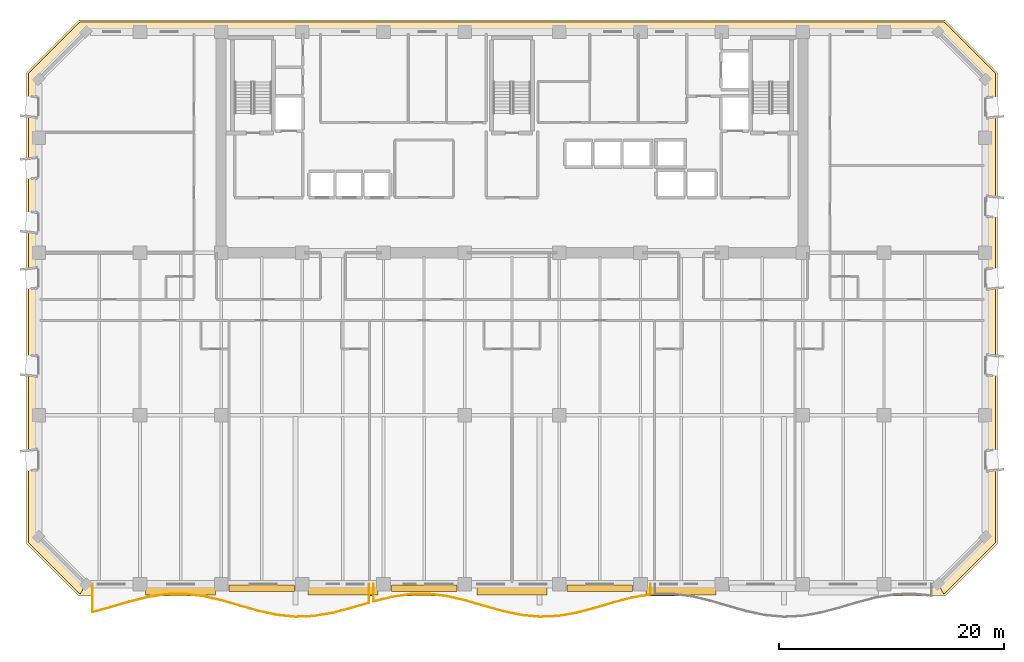
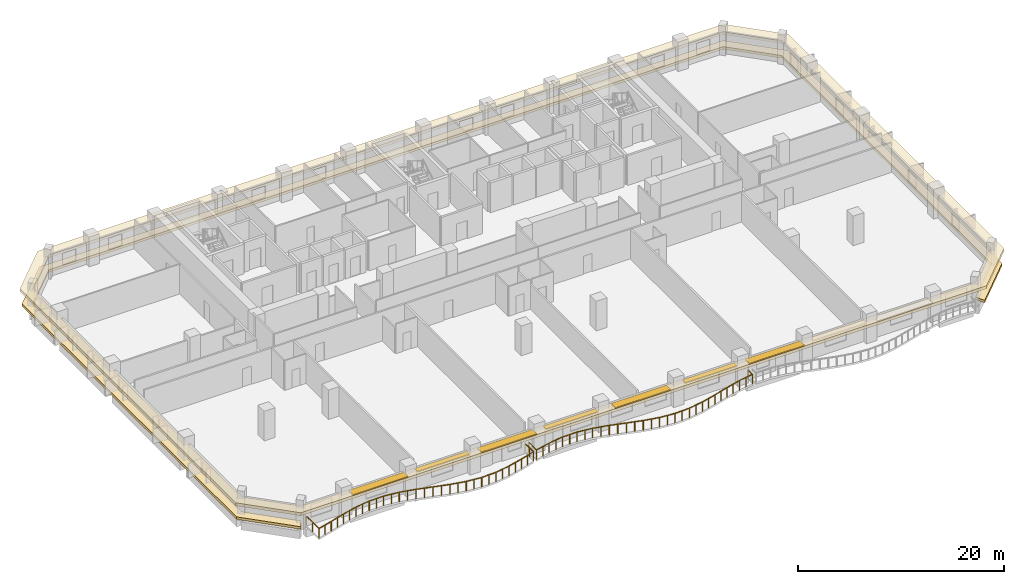
# One storey, part 12 of 15: 7 shading devices, 2 coverings, 2 railings.
"""IFC4 building model written with IfcOpenShell, lengths in metres."""

from ifc_helpers import new_model, si_unit, direction, frame, origin, origin_2d, place, context, subcontext, project, spatial, polyline, rectangle, outline, extrude, material, layer, layer_set, type_object, element, save


model = new_model("IFC4")

# Units and contexts
model_context = context("Model", 3, precision=1e-05, world=origin(), true_north=direction((0.0, 1.0)))
body_context = subcontext(model_context, "Body", "Model", "MODEL_VIEW")
ifc_project = project(units=[si_unit("LENGTHUNIT", "METRE"), si_unit("AREAUNIT", "SQUARE_METRE"), si_unit("VOLUMEUNIT", "CUBIC_METRE"), si_unit("PLANEANGLEUNIT", "RADIAN"), si_unit("MASSUNIT", "GRAM", prefix="KILO")], contexts=[model_context])

# Site, building, storey
site_placement = place(None, origin())
site = spatial("IfcSite", under=ifc_project, at=site_placement, CompositionType="ELEMENT")
building_placement = place(site_placement, origin())
building = spatial("IfcBuilding", under=site, at=building_placement, Name="Kaelvorn Grand Hotel", CompositionType="ELEMENT")
storey_placement = place(building_placement, frame((0.0, 0.0, 108.050048828125)))
storey = spatial("IfcBuildingStorey", under=building, at=storey_placement, Name="L25", CompositionType="ELEMENT", Elevation=108.050048828125)

# Coverings
ifc_material_1 = material(Name="Precast concrete C45/55", Category="concrete")
ifc_layer_1 = layer(ifc_material_1, 0.260009765625)
ifc_layer_set_1 = layer_set([ifc_layer_1], Name="Precast concrete C45/55")
covering_type_1 = type_object("IfcCoveringType", Name="COV-BAND-STREAMLINE-HEAD", PredefinedType="CLADDING", material=ifc_layer_set_1)
covering_1_placement = place(storey_placement, frame((0.0, 0.0, 2.179931640625)))
element("IfcCovering", 1, at=covering_1_placement, inside=storey, type_object=covering_type_1, Name="L25 Streamline Moderne Wraparound Horizontal Eyebrow Band", PredefinedType="CLADDING", context=body_context, shape_type="SweptSolid", body=[
    extrude(outline(polyline([(3.590087890625, -1.050048828125), (80.409912109375, -1.050048828125), (85.050048828125, 3.590087890625), (85.050048828125, 45.409912109375), (80.409912109375, 50.050048828125), (3.590087890625, 50.050048828125), (-1.050048828125, 45.409912109375), (-1.050048828125, 3.590087890625), (3.590087890625, -1.050048828125)]), holes=[polyline([(4.219970703125, 0.030029296875), (79.780029296875, 0.030029296875), (83.969970703125, 4.219970703125), (83.969970703125, 44.780029296875), (79.780029296875, 48.969970703125), (4.219970703125, 48.969970703125), (0.030029296875, 44.780029296875), (0.030029296875, 4.219970703125), (4.219970703125, 0.030029296875)])]), origin(), (0.0, 0.0, 1.0), 0.360107421875),
])
ifc_layer_2 = layer(ifc_material_1, 0.219970703125)
ifc_layer_set_2 = layer_set([ifc_layer_2], Name="Precast concrete C45/55")
covering_type_2 = type_object("IfcCoveringType", Name="COV-BAND-STREAMLINE-SILL", PredefinedType="CLADDING", material=ifc_layer_set_2)
covering_2_placement = place(storey_placement, frame((0.0, 0.0, 0.449951171875)))
element("IfcCovering", 2, at=covering_2_placement, inside=storey, type_object=covering_type_2, Name="L25 Streamline Moderne Wraparound Horizontal Sill Spandrel Band", PredefinedType="CLADDING", context=body_context, shape_type="SweptSolid", body=[
    extrude(outline(polyline([(80.3154296875, -0.8798828125), (84.8798828125, 3.6845703125), (84.8798828125, 45.3154296875), (80.3154296875, 49.8798828125), (3.6845703125, 49.8798828125), (-0.8798828125, 45.3154296875), (-0.8798828125, 3.6845703125), (3.6845703125, -0.8798828125), (4.217529296875, 0.030029296875), (0.030029296875, 4.217529296875), (0.030029296875, 44.782470703125), (4.217529296875, 48.969970703125), (79.782470703125, 48.969970703125), (83.969970703125, 44.782470703125), (83.969970703125, 4.217529296875), (79.782470703125, 0.030029296875), (80.3154296875, -0.8798828125)])), origin(), (0.0, 0.0, 1.0), 0.300048828125),
])

# Railings
ifc_material_2 = material(Name="Stainless Steel", Category="steel")
railing_type = type_object("IfcRailingType", Name="RL-BALC-1150", PredefinedType="BALUSTRADE", material=ifc_material_2)
railing_1_placement = place(storey_placement, frame((4.800048828125, 0.0, 0.0)))
element("IfcRailing", 3, at=railing_1_placement, inside=storey, type_object=railing_type, Name="L25 Scalloped Wave Balcony Balustrade GR1-1", PredefinedType="BALUSTRADE", context=body_context, shape_type="SweptSolid", body=[
    extrude(rectangle(XDim=0.048095703125, YDim=0.048095703125, at=origin_2d()), frame((0.0, 0.0, 1.1259765625), z_axis=(0.0, -1.0, 0.0), x_axis=(1.0, 0.0, 0.0)), (0.0, 0.0, 1.0), 2.4775390625),
    extrude(rectangle(XDim=0.048095703125, YDim=0.048095703125, at=origin_2d()), frame((0.0, -2.4775390625, 1.1259765625), z_axis=(0.964654076127, 0.263519474446, 0.0), x_axis=(-0.263519474446, 0.964654076127, 0.0)), (0.0, 0.0, 1.0), 1.6953125),
    extrude(rectangle(XDim=0.048095703125, YDim=0.048095703125, at=origin_2d()), frame((1.635498046875, -2.03076171875, 1.1259765625), z_axis=(0.959338132824, 0.282259361068, 0.0), x_axis=(-0.282259361068, 0.959338132824, 0.0)), (0.0, 0.0, 1.0), 1.704833984375),
    extrude(rectangle(XDim=0.048095703125, YDim=0.048095703125, at=origin_2d()), frame((3.27099609375, -1.549560546875, 1.1259765625), z_axis=(0.970108421797, 0.242671897751, 0.0), x_axis=(-0.242671897751, 0.970108421797, 0.0)), (0.0, 0.0, 1.0), 1.68603515625),
    extrude(rectangle(XDim=0.048095703125, YDim=0.048095703125, at=origin_2d()), frame((4.90673828125, -1.140380859375, 1.1259765625), z_axis=(0.988889745087, 0.148650839424, 0.0), x_axis=(-0.148650839424, 0.988889745087, 0.0)), (0.0, 0.0, 1.0), 1.65380859375),
    extrude(rectangle(XDim=0.048095703125, YDim=0.048095703125, at=origin_2d()), frame((6.542236328125, -0.89453125, 1.1259765625), z_axis=(0.999852684056, 0.01716421237, 0.0), x_axis=(-0.01716421237, 0.999852684056, 0.0)), (0.0, 0.0, 1.0), 1.6357421875),
    extrude(rectangle(XDim=0.048095703125, YDim=0.048095703125, at=origin_2d()), frame((8.177734375, -0.866455078125, 1.1259765625), z_axis=(0.992892259483, -0.119016641941, 0.0), x_axis=(0.119016641941, 0.992892259483, 0.0)), (0.0, 0.0, 1.0), 1.647216796875),
    extrude(rectangle(XDim=0.048095703125, YDim=0.048095703125, at=origin_2d()), frame((9.813232421875, -1.0625, 1.1259765625), z_axis=(0.974547877033, -0.22417947134, 0.0), x_axis=(0.22417947134, 0.974547877033, 0.0)), (0.0, 0.0, 1.0), 1.67822265625),
    extrude(rectangle(XDim=0.048095703125, YDim=0.048095703125, at=origin_2d()), frame((11.44873046875, -1.438720703125, 1.1259765625), z_axis=(0.960582401259, -0.277995414335, 0.0), x_axis=(0.277995414335, 0.960582401259, 0.0)), (0.0, 0.0, 1.0), 1.702880859375),
    extrude(rectangle(XDim=0.048095703125, YDim=0.048095703125, at=origin_2d()), frame((13.08447265625, -1.912109375, 1.1259765625), z_axis=(0.96186455439, -0.273526194374, 0.0), x_axis=(0.273526194374, 0.96186455439, 0.0)), (0.0, 0.0, 1.0), 1.700439453125),
    extrude(rectangle(XDim=0.048095703125, YDim=0.048095703125, at=origin_2d()), frame((14.719970703125, -2.377197265625, 1.1259765625), z_axis=(0.977427196396, -0.211272515358, 0.0), x_axis=(0.211272515358, 0.977427196396, 0.0)), (0.0, 0.0, 1.0), 1.67333984375),
    extrude(rectangle(XDim=0.048095703125, YDim=0.048095703125, at=origin_2d()), frame((16.35546875, -2.730712890625, 1.1259765625), z_axis=(0.995050417391, -0.099371358297, 0.0), x_axis=(0.099371358297, 0.995050417391, 0.0)), (0.0, 0.0, 1.0), 1.6435546875),
    extrude(rectangle(XDim=0.048095703125, YDim=0.048095703125, at=origin_2d()), frame((17.990966796875, -2.89404296875, 1.1259765625), z_axis=(0.999265134738, 0.03833002084, 0.0), x_axis=(-0.03833002084, 0.999265134738, 0.0)), (0.0, 0.0, 1.0), 1.636962890625),
    extrude(rectangle(XDim=0.048095703125, YDim=0.048095703125, at=origin_2d()), frame((19.626708984375, -2.831298828125, 1.1259765625), z_axis=(0.986118033534, 0.166045848907, 0.0), x_axis=(-0.166045848907, 0.986118033534, 0.0)), (0.0, 0.0, 1.0), 1.658447265625),
    extrude(rectangle(XDim=0.048095703125, YDim=0.048095703125, at=origin_2d()), frame((21.26220703125, -2.555908203125, 1.1259765625), z_axis=(0.96763721046, 0.252345455542, 0.0), x_axis=(-0.252345455542, 0.96763721046, 0.0)), (0.0, 0.0, 1.0), 1.690185546875),
    extrude(rectangle(XDim=0.048095703125, YDim=0.048095703125, at=origin_2d()), frame((22.897705078125, -2.12939453125, 1.1259765625), z_axis=(0.959027432838, 0.2833132243, 0.0), x_axis=(-0.2833132243, 0.959027432838, 0.0)), (0.0, 0.0, 1.0), 1.705322265625),
    extrude(rectangle(XDim=0.048095703125, YDim=0.048095703125, at=origin_2d()), frame((24.533203125, -1.646240234375, 1.1259765625), z_axis=(0.0, 1.0, 0.0), x_axis=(-1.0, 0.0, 0.0)), (0.0, 0.0, 1.0), 1.646240234375),
    extrude(rectangle(XDim=0.0419921875, YDim=0.0419921875, at=origin_2d()), origin(), (0.0, 0.0, 1.0), 1.101806640625),
    extrude(rectangle(XDim=0.0419921875, YDim=0.0419921875, at=origin_2d()), frame((0.0, -1.23876953125, 0.0)), (0.0, 0.0, 1.0), 1.101806640625),
    extrude(rectangle(XDim=0.0419921875, YDim=0.0419921875, at=origin_2d()), frame((0.0, -2.4775390625, 0.0)), (0.0, 0.0, 1.0), 1.101806640625),
    extrude(rectangle(XDim=0.0419921875, YDim=0.0419921875, at=origin_2d()), frame((0.81787109375, -2.254150390625, 0.0)), (0.0, 0.0, 1.0), 1.101806640625),
    extrude(rectangle(XDim=0.0419921875, YDim=0.0419921875, at=origin_2d()), frame((1.635498046875, -2.03076171875, 0.0)), (0.0, 0.0, 1.0), 1.101806640625),
    extrude(rectangle(XDim=0.0419921875, YDim=0.0419921875, at=origin_2d()), frame((2.453125, -1.7900390625, 0.0)), (0.0, 0.0, 1.0), 1.101806640625),
    extrude(rectangle(XDim=0.0419921875, YDim=0.0419921875, at=origin_2d()), frame((3.27099609375, -1.549560546875, 0.0)), (0.0, 0.0, 1.0), 1.101806640625),
    extrude(rectangle(XDim=0.0419921875, YDim=0.0419921875, at=origin_2d()), frame((4.0888671875, -1.344970703125, 0.0)), (0.0, 0.0, 1.0), 1.101806640625),
    extrude(rectangle(XDim=0.0419921875, YDim=0.0419921875, at=origin_2d()), frame((4.90673828125, -1.140380859375, 0.0)), (0.0, 0.0, 1.0), 1.101806640625),
    extrude(rectangle(XDim=0.0419921875, YDim=0.0419921875, at=origin_2d()), frame((5.724609375, -1.017578125, 0.0)), (0.0, 0.0, 1.0), 1.101806640625),
    extrude(rectangle(XDim=0.0419921875, YDim=0.0419921875, at=origin_2d()), frame((6.542236328125, -0.89453125, 0.0)), (0.0, 0.0, 1.0), 1.101806640625),
    extrude(rectangle(XDim=0.0419921875, YDim=0.0419921875, at=origin_2d()), frame((7.35986328125, -0.88037109375, 0.0)), (0.0, 0.0, 1.0), 1.101806640625),
    extrude(rectangle(XDim=0.0419921875, YDim=0.0419921875, at=origin_2d()), frame((8.177734375, -0.866455078125, 0.0)), (0.0, 0.0, 1.0), 1.101806640625),
    extrude(rectangle(XDim=0.0419921875, YDim=0.0419921875, at=origin_2d()), frame((8.99560546875, -0.96435546875, 0.0)), (0.0, 0.0, 1.0), 1.101806640625),
    extrude(rectangle(XDim=0.0419921875, YDim=0.0419921875, at=origin_2d()), frame((9.813232421875, -1.0625, 0.0)), (0.0, 0.0, 1.0), 1.101806640625),
    extrude(rectangle(XDim=0.0419921875, YDim=0.0419921875, at=origin_2d()), frame((10.630859375, -1.25048828125, 0.0)), (0.0, 0.0, 1.0), 1.101806640625),
    extrude(rectangle(XDim=0.0419921875, YDim=0.0419921875, at=origin_2d()), frame((11.44873046875, -1.438720703125, 0.0)), (0.0, 0.0, 1.0), 1.101806640625),
    extrude(rectangle(XDim=0.0419921875, YDim=0.0419921875, at=origin_2d()), frame((12.2666015625, -1.67529296875, 0.0)), (0.0, 0.0, 1.0), 1.101806640625),
    extrude(rectangle(XDim=0.0419921875, YDim=0.0419921875, at=origin_2d()), frame((13.08447265625, -1.912109375, 0.0)), (0.0, 0.0, 1.0), 1.101806640625),
    extrude(rectangle(XDim=0.0419921875, YDim=0.0419921875, at=origin_2d()), frame((13.90234375, -2.14453125, 0.0)), (0.0, 0.0, 1.0), 1.101806640625),
    extrude(rectangle(XDim=0.0419921875, YDim=0.0419921875, at=origin_2d()), frame((14.719970703125, -2.377197265625, 0.0)), (0.0, 0.0, 1.0), 1.101806640625),
    extrude(rectangle(XDim=0.0419921875, YDim=0.0419921875, at=origin_2d()), frame((15.53759765625, -2.553955078125, 0.0)), (0.0, 0.0, 1.0), 1.101806640625),
    extrude(rectangle(XDim=0.0419921875, YDim=0.0419921875, at=origin_2d()), frame((16.35546875, -2.730712890625, 0.0)), (0.0, 0.0, 1.0), 1.101806640625),
    extrude(rectangle(XDim=0.0419921875, YDim=0.0419921875, at=origin_2d()), frame((17.17333984375, -2.8125, 0.0)), (0.0, 0.0, 1.0), 1.101806640625),
    extrude(rectangle(XDim=0.0419921875, YDim=0.0419921875, at=origin_2d()), frame((17.990966796875, -2.89404296875, 0.0)), (0.0, 0.0, 1.0), 1.101806640625),
    extrude(rectangle(XDim=0.0419921875, YDim=0.0419921875, at=origin_2d()), frame((18.808837890625, -2.86279296875, 0.0)), (0.0, 0.0, 1.0), 1.101806640625),
    extrude(rectangle(XDim=0.0419921875, YDim=0.0419921875, at=origin_2d()), frame((19.626708984375, -2.831298828125, 0.0)), (0.0, 0.0, 1.0), 1.101806640625),
    extrude(rectangle(XDim=0.0419921875, YDim=0.0419921875, at=origin_2d()), frame((20.4443359375, -2.693603515625, 0.0)), (0.0, 0.0, 1.0), 1.101806640625),
    extrude(rectangle(XDim=0.0419921875, YDim=0.0419921875, at=origin_2d()), frame((21.26220703125, -2.555908203125, 0.0)), (0.0, 0.0, 1.0), 1.101806640625),
    extrude(rectangle(XDim=0.0419921875, YDim=0.0419921875, at=origin_2d()), frame((22.080078125, -2.3427734375, 0.0)), (0.0, 0.0, 1.0), 1.101806640625),
    extrude(rectangle(XDim=0.0419921875, YDim=0.0419921875, at=origin_2d()), frame((22.897705078125, -2.12939453125, 0.0)), (0.0, 0.0, 1.0), 1.101806640625),
    extrude(rectangle(XDim=0.0419921875, YDim=0.0419921875, at=origin_2d()), frame((23.71533203125, -1.8876953125, 0.0)), (0.0, 0.0, 1.0), 1.101806640625),
    extrude(rectangle(XDim=0.0419921875, YDim=0.0419921875, at=origin_2d()), frame((24.533203125, -1.646240234375, 0.0)), (0.0, 0.0, 1.0), 1.101806640625),
    extrude(rectangle(XDim=0.0419921875, YDim=0.0419921875, at=origin_2d()), frame((24.533203125, -0.8232421875, 0.0)), (0.0, 0.0, 1.0), 1.101806640625),
    extrude(rectangle(XDim=0.0419921875, YDim=0.0419921875, at=origin_2d()), frame((24.533203125, 0.0, 0.0)), (0.0, 0.0, 1.0), 1.101806640625),
])
railing_2_placement = place(storey_placement, frame((29.7333984375, 0.0, 0.0)))
element("IfcRailing", 4, at=railing_2_placement, inside=storey, type_object=railing_type, Name="L25 Scalloped Wave Balcony Balustrade GR1-2", PredefinedType="BALUSTRADE", context=body_context, shape_type="SweptSolid", body=[
    extrude(rectangle(XDim=0.048095703125, YDim=0.048095703125, at=origin_2d()), frame((0.0, 0.0, 1.1259765625), z_axis=(0.0, -1.0, 0.0), x_axis=(1.0, 0.0, 0.0)), (0.0, 0.0, 1.0), 1.531982421875),
    extrude(rectangle(XDim=0.048095703125, YDim=0.048095703125, at=origin_2d()), frame((0.0, -1.531982421875, 1.1259765625), z_axis=(0.970778455787, 0.239977477651, 0.0), x_axis=(-0.239977477651, 0.970778455787, 0.0)), (0.0, 0.0, 1.0), 1.684814453125),
    extrude(rectangle(XDim=0.048095703125, YDim=0.048095703125, at=origin_2d()), frame((1.635498046875, -1.127685546875, 1.1259765625), z_axis=(0.989552746823, 0.144171291372, 0.0), x_axis=(-0.144171291372, 0.989552746823, 0.0)), (0.0, 0.0, 1.0), 1.65283203125),
    extrude(rectangle(XDim=0.048095703125, YDim=0.048095703125, at=origin_2d()), frame((3.27099609375, -0.889404296875, 1.1259765625), z_axis=(0.999928700978, 0.011941229449, 0.0), x_axis=(-0.011941229449, 0.999928700978, 0.0)), (0.0, 0.0, 1.0), 1.635498046875),
    extrude(rectangle(XDim=0.048095703125, YDim=0.048095703125, at=origin_2d()), frame((4.906494140625, -0.869873046875, 1.1259765625), z_axis=(0.992305195112, -0.12381599151, 0.0), x_axis=(0.12381599151, 0.992305195112, 0.0)), (0.0, 0.0, 1.0), 1.6484375),
    extrude(rectangle(XDim=0.048095703125, YDim=0.048095703125, at=origin_2d()), frame((6.542236328125, -1.073974609375, 1.1259765625), z_axis=(0.973844426508, -0.227215829024, 0.0), x_axis=(0.227215829024, 0.973844426508, 0.0)), (0.0, 0.0, 1.0), 1.679443359375),
    extrude(rectangle(XDim=0.048095703125, YDim=0.048095703125, at=origin_2d()), frame((8.177734375, -1.45556640625, 1.1259765625), z_axis=(0.960302879925, -0.278959457282, 0.0), x_axis=(0.278959457282, 0.960302879925, 0.0)), (0.0, 0.0, 1.0), 1.703125),
    extrude(rectangle(XDim=0.048095703125, YDim=0.048095703125, at=origin_2d()), frame((9.813232421875, -1.9306640625, 1.1259765625), z_axis=(0.962241545122, -0.272197003733, 0.0), x_axis=(0.272197003733, 0.962241545122, 0.0)), (0.0, 0.0, 1.0), 1.69970703125),
    extrude(rectangle(XDim=0.048095703125, YDim=0.048095703125, at=origin_2d()), frame((11.44873046875, -2.393310546875, 1.1259765625), z_axis=(0.978181108295, -0.207753987627, 0.0), x_axis=(0.207753987627, 0.978181108295, 0.0)), (0.0, 0.0, 1.0), 1.672119140625),
    extrude(rectangle(XDim=0.048095703125, YDim=0.048095703125, at=origin_2d()), frame((13.08447265625, -2.74072265625, 1.1259765625), z_axis=(0.995523480824, -0.09451454453, 0.0), x_axis=(0.09451454453, 0.995523480824, 0.0)), (0.0, 0.0, 1.0), 1.642822265625),
    extrude(rectangle(XDim=0.048095703125, YDim=0.048095703125, at=origin_2d()), frame((14.719970703125, -2.89599609375, 1.1259765625), z_axis=(0.999044869462, 0.043696095948, 0.0), x_axis=(-0.043696095948, 0.999044869462, 0.0)), (0.0, 0.0, 1.0), 1.636962890625),
    extrude(rectangle(XDim=0.048095703125, YDim=0.048095703125, at=origin_2d()), frame((16.35546875, -2.824462890625, 1.1259765625), z_axis=(0.985410815118, 0.170192612792, 0.0), x_axis=(-0.170192612792, 0.985410815118, 0.0)), (0.0, 0.0, 1.0), 1.65966796875),
    extrude(rectangle(XDim=0.048095703125, YDim=0.048095703125, at=origin_2d()), frame((17.990966796875, -2.5419921875, 1.1259765625), z_axis=(0.967044616589, 0.254606970696, 0.0), x_axis=(-0.254606970696, 0.967044616589, 0.0)), (0.0, 0.0, 1.0), 1.69140625),
    extrude(rectangle(XDim=0.048095703125, YDim=0.048095703125, at=origin_2d()), frame((19.626708984375, -2.111328125, 1.1259765625), z_axis=(0.959066322629, 0.283181547419, 0.0), x_axis=(-0.283181547419, 0.959066322629, 0.0)), (0.0, 0.0, 1.0), 1.705322265625),
    extrude(rectangle(XDim=0.048095703125, YDim=0.048095703125, at=origin_2d()), frame((21.26220703125, -1.62841796875, 1.1259765625), z_axis=(0.967354524972, 0.253426957953, 0.0), x_axis=(-0.253426957953, 0.967354524972, 0.0)), (0.0, 0.0, 1.0), 1.690673828125),
    extrude(rectangle(XDim=0.048095703125, YDim=0.048095703125, at=origin_2d()), frame((22.897705078125, -1.199951171875, 1.1259765625), z_axis=(0.985827384416, 0.167762832995, 0.0), x_axis=(-0.167762832995, 0.985827384416, 0.0)), (0.0, 0.0, 1.0), 1.658935546875),
    extrude(rectangle(XDim=0.048095703125, YDim=0.048095703125, at=origin_2d()), frame((24.533203125, -0.921630859375, 1.1259765625), z_axis=(0.0, 1.0, 0.0), x_axis=(-1.0, 0.0, 0.0)), (0.0, 0.0, 1.0), 0.921630859375),
    extrude(rectangle(XDim=0.0419921875, YDim=0.0419921875, at=origin_2d()), origin(), (0.0, 0.0, 1.0), 1.101806640625),
    extrude(rectangle(XDim=0.0419921875, YDim=0.0419921875, at=origin_2d()), frame((0.0, -1.531982421875, 0.0)), (0.0, 0.0, 1.0), 1.101806640625),
    extrude(rectangle(XDim=0.0419921875, YDim=0.0419921875, at=origin_2d()), frame((0.81787109375, -1.329833984375, 0.0)), (0.0, 0.0, 1.0), 1.101806640625),
    extrude(rectangle(XDim=0.0419921875, YDim=0.0419921875, at=origin_2d()), frame((1.635498046875, -1.127685546875, 0.0)), (0.0, 0.0, 1.0), 1.101806640625),
    extrude(rectangle(XDim=0.0419921875, YDim=0.0419921875, at=origin_2d()), frame((2.453125, -1.008544921875, 0.0)), (0.0, 0.0, 1.0), 1.101806640625),
    extrude(rectangle(XDim=0.0419921875, YDim=0.0419921875, at=origin_2d()), frame((3.27099609375, -0.889404296875, 0.0)), (0.0, 0.0, 1.0), 1.101806640625),
    extrude(rectangle(XDim=0.0419921875, YDim=0.0419921875, at=origin_2d()), frame((4.0888671875, -0.879638671875, 0.0)), (0.0, 0.0, 1.0), 1.101806640625),
    extrude(rectangle(XDim=0.0419921875, YDim=0.0419921875, at=origin_2d()), frame((4.906494140625, -0.869873046875, 0.0)), (0.0, 0.0, 1.0), 1.101806640625),
    extrude(rectangle(XDim=0.0419921875, YDim=0.0419921875, at=origin_2d()), frame((5.724365234375, -0.971923828125, 0.0)), (0.0, 0.0, 1.0), 1.101806640625),
    extrude(rectangle(XDim=0.0419921875, YDim=0.0419921875, at=origin_2d()), frame((6.542236328125, -1.073974609375, 0.0)), (0.0, 0.0, 1.0), 1.101806640625),
    extrude(rectangle(XDim=0.0419921875, YDim=0.0419921875, at=origin_2d()), frame((7.35986328125, -1.2646484375, 0.0)), (0.0, 0.0, 1.0), 1.101806640625),
    extrude(rectangle(XDim=0.0419921875, YDim=0.0419921875, at=origin_2d()), frame((8.177734375, -1.45556640625, 0.0)), (0.0, 0.0, 1.0), 1.101806640625),
    extrude(rectangle(XDim=0.0419921875, YDim=0.0419921875, at=origin_2d()), frame((8.99560546875, -1.693115234375, 0.0)), (0.0, 0.0, 1.0), 1.101806640625),
    extrude(rectangle(XDim=0.0419921875, YDim=0.0419921875, at=origin_2d()), frame((9.813232421875, -1.9306640625, 0.0)), (0.0, 0.0, 1.0), 1.101806640625),
    extrude(rectangle(XDim=0.0419921875, YDim=0.0419921875, at=origin_2d()), frame((10.630859375, -2.162109375, 0.0)), (0.0, 0.0, 1.0), 1.101806640625),
    extrude(rectangle(XDim=0.0419921875, YDim=0.0419921875, at=origin_2d()), frame((11.44873046875, -2.393310546875, 0.0)), (0.0, 0.0, 1.0), 1.101806640625),
    extrude(rectangle(XDim=0.0419921875, YDim=0.0419921875, at=origin_2d()), frame((12.2666015625, -2.56689453125, 0.0)), (0.0, 0.0, 1.0), 1.101806640625),
    extrude(rectangle(XDim=0.0419921875, YDim=0.0419921875, at=origin_2d()), frame((13.08447265625, -2.74072265625, 0.0)), (0.0, 0.0, 1.0), 1.101806640625),
    extrude(rectangle(XDim=0.0419921875, YDim=0.0419921875, at=origin_2d()), frame((13.90234375, -2.818359375, 0.0)), (0.0, 0.0, 1.0), 1.101806640625),
    extrude(rectangle(XDim=0.0419921875, YDim=0.0419921875, at=origin_2d()), frame((14.719970703125, -2.89599609375, 0.0)), (0.0, 0.0, 1.0), 1.101806640625),
    extrude(rectangle(XDim=0.0419921875, YDim=0.0419921875, at=origin_2d()), frame((15.53759765625, -2.8603515625, 0.0)), (0.0, 0.0, 1.0), 1.101806640625),
    extrude(rectangle(XDim=0.0419921875, YDim=0.0419921875, at=origin_2d()), frame((16.35546875, -2.824462890625, 0.0)), (0.0, 0.0, 1.0), 1.101806640625),
    extrude(rectangle(XDim=0.0419921875, YDim=0.0419921875, at=origin_2d()), frame((17.17333984375, -2.68310546875, 0.0)), (0.0, 0.0, 1.0), 1.101806640625),
    extrude(rectangle(XDim=0.0419921875, YDim=0.0419921875, at=origin_2d()), frame((17.990966796875, -2.5419921875, 0.0)), (0.0, 0.0, 1.0), 1.101806640625),
    extrude(rectangle(XDim=0.0419921875, YDim=0.0419921875, at=origin_2d()), frame((18.808837890625, -2.32666015625, 0.0)), (0.0, 0.0, 1.0), 1.101806640625),
    extrude(rectangle(XDim=0.0419921875, YDim=0.0419921875, at=origin_2d()), frame((19.626708984375, -2.111328125, 0.0)), (0.0, 0.0, 1.0), 1.101806640625),
    extrude(rectangle(XDim=0.0419921875, YDim=0.0419921875, at=origin_2d()), frame((20.4443359375, -1.869873046875, 0.0)), (0.0, 0.0, 1.0), 1.101806640625),
    extrude(rectangle(XDim=0.0419921875, YDim=0.0419921875, at=origin_2d()), frame((21.26220703125, -1.62841796875, 0.0)), (0.0, 0.0, 1.0), 1.101806640625),
    extrude(rectangle(XDim=0.0419921875, YDim=0.0419921875, at=origin_2d()), frame((22.080078125, -1.4140625, 0.0)), (0.0, 0.0, 1.0), 1.101806640625),
    extrude(rectangle(XDim=0.0419921875, YDim=0.0419921875, at=origin_2d()), frame((22.897705078125, -1.199951171875, 0.0)), (0.0, 0.0, 1.0), 1.101806640625),
    extrude(rectangle(XDim=0.0419921875, YDim=0.0419921875, at=origin_2d()), frame((23.71533203125, -1.060791015625, 0.0)), (0.0, 0.0, 1.0), 1.101806640625),
    extrude(rectangle(XDim=0.0419921875, YDim=0.0419921875, at=origin_2d()), frame((24.533203125, -0.921630859375, 0.0)), (0.0, 0.0, 1.0), 1.101806640625),
    extrude(rectangle(XDim=0.0419921875, YDim=0.0419921875, at=origin_2d()), frame((24.533203125, 0.0, 0.0)), (0.0, 0.0, 1.0), 1.101806640625),
])

# Shading devices
ifc_layer_3 = layer(ifc_material_1, 0.1201171875)
ifc_layer_set_3 = layer_set([ifc_layer_3], Name="Precast concrete C45/55")
shading_device_type_1 = type_object("IfcShadingDeviceType", Name="SHD-SUNSHADE-550", PredefinedType="USERDEFINED", material=ifc_layer_set_3)
for number, where, z_axis, x_axis, name in (
    (5, (19.800048828125, -0.364990234375, 2.419921875), (0.0, 0.0, 1.0), (1.0, 0.0, 0.0), "L25 Horizontal Concrete Sunshade Band SS-03"),
    (6, (34.199951171875, -0.364990234375, 2.419921875), (0.0, 0.0, 1.0), (1.0, 0.0, 0.0), "L25 Horizontal Concrete Sunshade Band SS-05"),
    (7, (49.800048828125, -0.364990234375, 2.419921875), (0.0, 0.0, 1.0), (1.0, 0.0, 0.0), "L25 Horizontal Concrete Sunshade Band SS-07"),
):
    element("IfcShadingDevice", number, at=place(storey_placement, frame(where, z_axis=z_axis, x_axis=x_axis)), inside=storey, type_object=shading_device_type_1, Name=name, ObjectType="SUNSHADE", PredefinedType="USERDEFINED", context=body_context, shape_type="SweptSolid", body=[
        extrude(rectangle(XDim=5.800048828125, YDim=0.550048828125, at=origin_2d()), origin(), (0.0, 0.0, 1.0), 0.1201171875),
    ])
ifc_layer_4 = layer(ifc_material_1, 0.139892578125)
ifc_layer_set_4 = layer_set([ifc_layer_4], Name="Precast concrete C45/55")
shading_device_type_2 = type_object("IfcShadingDeviceType", Name="SHD-SUNSHADE-850", PredefinedType="USERDEFINED", material=ifc_layer_set_4)
for number, where, z_axis, x_axis, name in (
    (8, (12.60009765625, -0.514892578125, 2.41015625), (0.0, 0.0, 1.0), (1.0, 0.0, 0.0), "L25 Horizontal Concrete Sunshade Band SS-02"),
    (9, (27.0, -0.514892578125, 2.41015625), (0.0, 0.0, 1.0), (1.0, 0.0, 0.0), "L25 Horizontal Concrete Sunshade Band SS-04"),
    (10, (42.0, -0.514892578125, 2.41015625), (0.0, 0.0, 1.0), (1.0, 0.0, 0.0), "L25 Horizontal Concrete Sunshade Band SS-06"),
    (11, (57.0, -0.514892578125, 2.41015625), (0.0, 0.0, 1.0), (1.0, 0.0, 0.0), "L25 Horizontal Concrete Sunshade Band SS-08"),
):
    element("IfcShadingDevice", number, at=place(storey_placement, frame(where, z_axis=z_axis, x_axis=x_axis)), inside=storey, type_object=shading_device_type_2, Name=name, ObjectType="SUNSHADE", PredefinedType="USERDEFINED", context=body_context, shape_type="SweptSolid", body=[
        extrude(rectangle(XDim=6.199951171875, YDim=0.85009765625, at=origin_2d()), origin(), (0.0, 0.0, 1.0), 0.139892578125),
    ])

save(model, "model.ifc")
